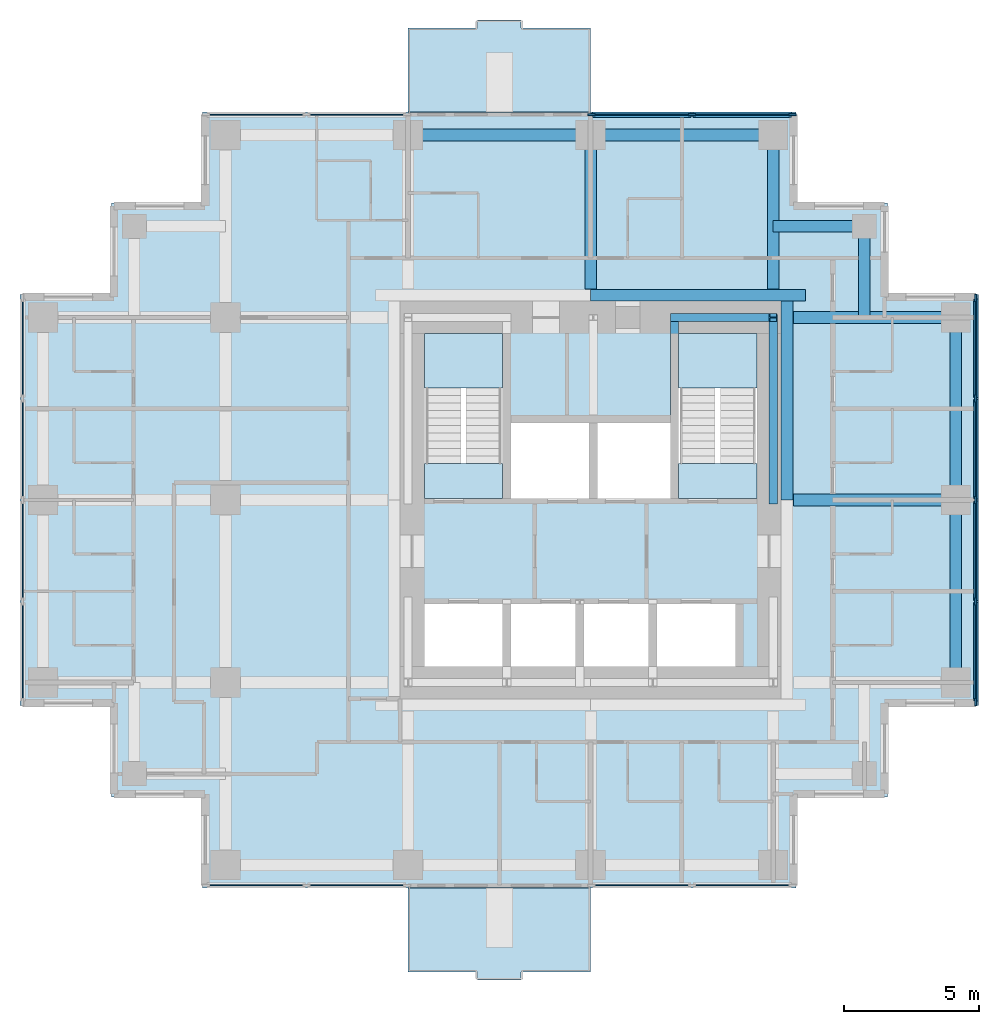
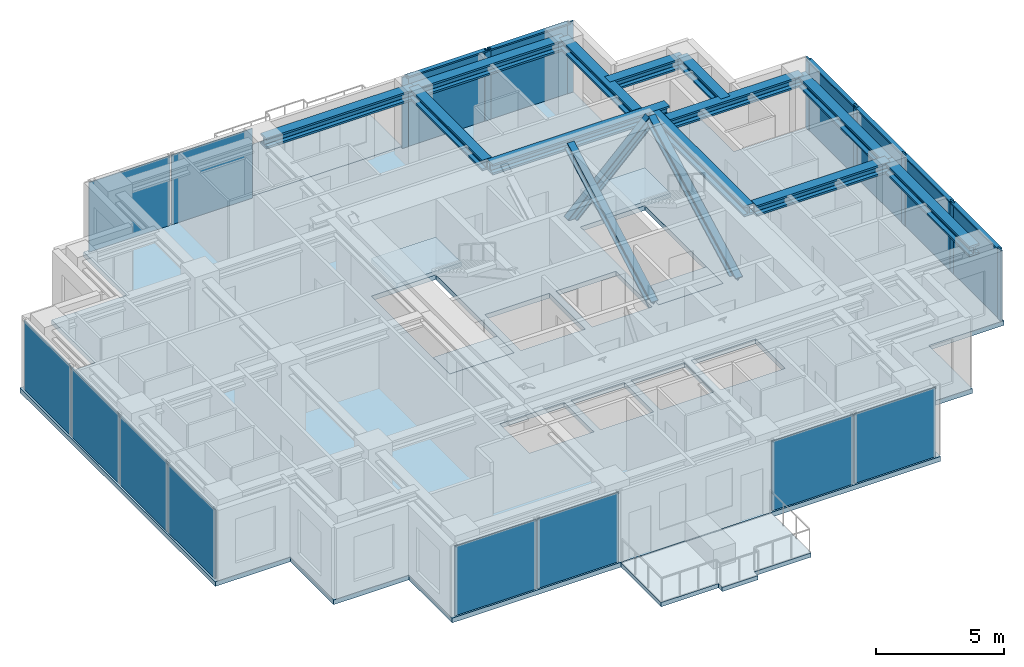
# One storey, part 2 of 8: 17 members, 16 plates, 12 beams, 7 slabs, 8 elements without a shape of their own.
"""IFC4 building model written with IfcOpenShell, lengths in metres."""

from ifc_helpers import new_model, si_unit, direction, frame, origin, origin_2d, place, context, subcontext, project, spatial, polyline, rectangle, i_section, outline, extrude, material, layer, layer_set, material_profile, profile_set, type_object, element, aggregate, save


model = new_model("IFC4")

# Units and contexts
model_context = context("Model", 3, precision=1e-05, world=origin(), true_north=direction((0.0, 1.0)))
body_context = subcontext(model_context, "Body", "Model", "MODEL_VIEW")
ifc_project = project(units=[si_unit("LENGTHUNIT", "METRE"), si_unit("AREAUNIT", "SQUARE_METRE"), si_unit("VOLUMEUNIT", "CUBIC_METRE"), si_unit("PLANEANGLEUNIT", "RADIAN"), si_unit("MASSUNIT", "GRAM", prefix="KILO")], contexts=[model_context])

# Site, building, storey
site_placement = place(None, origin())
site = spatial("IfcSite", under=ifc_project, at=site_placement, CompositionType="ELEMENT")
building_placement = place(site_placement, origin())
building = spatial("IfcBuilding", under=site, at=building_placement, Name="Nyansa Garden Tower", CompositionType="ELEMENT")
storey_placement = place(building_placement, frame((0.0, 0.0, 218.699951171875)))
storey = spatial("IfcBuildingStorey", under=building, at=storey_placement, Name="L59", CompositionType="ELEMENT", Elevation=218.699951171875)

# Curtain wall, members
ifc_material_1 = material(Name="Black anodised aluminium, dark tinted double glazing", Category="aluminium")
curtain_wall_type = type_object("IfcCurtainWallType", Name="Inner skin curtain wall ISW-D", PredefinedType="USERDEFINED", material=ifc_material_1)
curtain_wall_1_placement = place(storey_placement, origin())
curtain_wall_1 = element("IfcCurtainWall", 1, at=curtain_wall_1_placement, inside=storey, type_object=curtain_wall_type, Name="Inner skin curtain wall L59 E", ObjectType="UNITISED CURTAIN WALL", PredefinedType="USERDEFINED")
ifc_material_2 = material(Name="Black anodised aluminium", Category="aluminium")
ifc_material_profile_1 = material_profile(ifc_material_2, rectangle(XDim=0.070068359375, YDim=0.27490234375, at=origin_2d()), Name="Mullion 275x70")
ifc_profile_set_1 = profile_set([ifc_material_profile_1], Name="Black anodised aluminium")
member_type_1 = type_object("IfcMemberType", Name="Mullion ISW-D 275x70", PredefinedType="MULLION", material=ifc_profile_set_1)
member_1_placement = place(storey_placement, frame((34.5, 12.784912109375, 0.0), z_axis=(0.0, 0.0, 1.0), x_axis=(-1.0, 0.0, 0.0)))
member_1 = element("IfcMember", 2, at=member_1_placement, type_object=member_type_1, Name="ISW-D mullion 1", PredefinedType="MULLION", context=body_context, shape_type="SweptSolid", body=[
    extrude(rectangle(XDim=0.070068359375, YDim=0.27490234375, at=origin_2d()), origin(), (0.0, 0.0, 1.0), 3.375),
])
member_2_placement = place(storey_placement, frame((34.5, 16.5, 0.0), z_axis=(0.0, 0.0, 1.0), x_axis=(-1.0, 0.0, 0.0)))
member_2 = element("IfcMember", 3, at=member_2_placement, type_object=member_type_1, Name="ISW-D mullion 2", PredefinedType="MULLION", context=body_context, shape_type="SweptSolid", body=[
    extrude(rectangle(XDim=0.070068359375, YDim=0.27490234375, at=origin_2d()), origin(), (0.0, 0.0, 1.0), 3.375),
])
member_3_placement = place(storey_placement, frame((34.5, 20.25, 0.0), z_axis=(0.0, 0.0, 1.0), x_axis=(-1.0, 0.0, 0.0)))
member_3 = element("IfcMember", 4, at=member_3_placement, type_object=member_type_1, Name="ISW-D mullion 3", PredefinedType="MULLION", context=body_context, shape_type="SweptSolid", body=[
    extrude(rectangle(XDim=0.070068359375, YDim=0.27490234375, at=origin_2d()), origin(), (0.0, 0.0, 1.0), 3.375),
])
member_4_placement = place(storey_placement, frame((34.5, 24.0, 0.0), z_axis=(0.0, 0.0, 1.0), x_axis=(-1.0, 0.0, 0.0)))
member_4 = element("IfcMember", 5, at=member_4_placement, type_object=member_type_1, Name="ISW-D mullion 4", PredefinedType="MULLION", context=body_context, shape_type="SweptSolid", body=[
    extrude(rectangle(XDim=0.070068359375, YDim=0.27490234375, at=origin_2d()), origin(), (0.0, 0.0, 1.0), 3.375),
])
member_5_placement = place(storey_placement, frame((34.5, 27.715087890625, 0.0), z_axis=(0.0, 0.0, 1.0), x_axis=(-1.0, 0.0, 0.0)))
member_5 = element("IfcMember", 6, at=member_5_placement, type_object=member_type_1, Name="ISW-D mullion 5", PredefinedType="MULLION", context=body_context, shape_type="SweptSolid", body=[
    extrude(rectangle(XDim=0.070068359375, YDim=0.27490234375, at=origin_2d()), origin(), (0.0, 0.0, 1.0), 3.375),
])

curtain_wall_2_placement = place(storey_placement, origin())
curtain_wall_2 = element("IfcCurtainWall", 7, at=curtain_wall_2_placement, inside=storey, type_object=curtain_wall_type, Name="Inner skin curtain wall L59 N", ObjectType="UNITISED CURTAIN WALL", PredefinedType="USERDEFINED")
member_6_placement = place(storey_placement, frame((27.715087890625, 34.5, 0.0), z_axis=(0.0, 0.0, 1.0), x_axis=(0.0, -1.0, 0.0)))
member_6 = element("IfcMember", 8, at=member_6_placement, type_object=member_type_1, Name="ISW-D mullion 1", PredefinedType="MULLION", context=body_context, shape_type="SweptSolid", body=[
    extrude(rectangle(XDim=0.070068359375, YDim=0.27490234375, at=origin_2d()), origin(), (0.0, 0.0, 1.0), 3.375),
])
member_7_placement = place(storey_placement, frame((24.0, 34.5, 0.0), z_axis=(0.0, 0.0, 1.0), x_axis=(0.0, -1.0, 0.0)))
member_7 = element("IfcMember", 9, at=member_7_placement, type_object=member_type_1, Name="ISW-D mullion 2", PredefinedType="MULLION", context=body_context, shape_type="SweptSolid", body=[
    extrude(rectangle(XDim=0.070068359375, YDim=0.27490234375, at=origin_2d()), origin(), (0.0, 0.0, 1.0), 3.375),
])
member_8_placement = place(storey_placement, frame((20.284912109375, 34.5, 0.0), z_axis=(0.0, 0.0, 1.0), x_axis=(0.0, -1.0, 0.0)))
member_8 = element("IfcMember", 10, at=member_8_placement, type_object=member_type_1, Name="ISW-D mullion 3", PredefinedType="MULLION", context=body_context, shape_type="SweptSolid", body=[
    extrude(rectangle(XDim=0.070068359375, YDim=0.27490234375, at=origin_2d()), origin(), (0.0, 0.0, 1.0), 3.375),
])

# Members
ifc_material_3 = material(Name="Steel S355", Category="steel")
ifc_material_profile_2 = material_profile(ifc_material_3, i_section(OverallWidth=0.306884765625, OverallDepth=0.431884765625, WebThickness=0.02099609375, FlangeThickness=0.0400390625, FilletRadius=0.027099609375, at=origin_2d()), Name="HE 400 M")
ifc_profile_set_2 = profile_set([ifc_material_profile_2], Name="Steel S355")
member_type_2 = type_object("IfcMemberType", Name="Perimeter brace HE 400 M", PredefinedType="BRACE", material=ifc_profile_set_2)
member_9_placement = place(storey_placement, frame((23.35009765625, 27.0, 0.0), z_axis=(0.711947531702, 0.0, 0.702232662373), x_axis=(0.0, 1.0, 0.0)))
element("IfcMember", 11, at=member_9_placement, inside=storey, type_object=member_type_2, Name="Core brace CN4 L59", PredefinedType="BRACE", context=body_context, shape_type="SweptSolid", body=[
    extrude(i_section(OverallWidth=0.306884765625, OverallDepth=0.431884765625, WebThickness=0.02099609375, FlangeThickness=0.0400390625, FilletRadius=0.027099609375, at=origin_2d()), origin(), (0.0, 0.0, 1.0), 5.126708984375),
])
member_10_placement = place(storey_placement, frame((27.0, 20.199951171875, 0.0), z_axis=(0.0, 0.883784057226, 0.467895009796), x_axis=(-1.0, 0.0, 0.0)))
element("IfcMember", 12, at=member_10_placement, inside=storey, type_object=member_type_2, Name="Core brace CE8 L59", PredefinedType="BRACE", context=body_context, shape_type="SweptSolid", body=[
    extrude(i_section(OverallWidth=0.306884765625, OverallDepth=0.431884765625, WebThickness=0.02099609375, FlangeThickness=0.0400390625, FilletRadius=0.027099609375, at=origin_2d()), origin(), (0.0, 0.0, 1.0), 7.6943359375),
])
member_11_placement = place(storey_placement, frame((23.35009765625, 20.449951171875, 0.0), z_axis=(0.0, 0.876353113771, 0.481669201822), x_axis=(-1.0, 0.0, 0.0)))
element("IfcMember", 13, at=member_11_placement, inside=storey, type_object=member_type_2, Name="Core brace CES10 L59", PredefinedType="BRACE", context=body_context, shape_type="SweptSolid", body=[
    extrude(i_section(OverallWidth=0.306884765625, OverallDepth=0.431884765625, WebThickness=0.02099609375, FlangeThickness=0.0400390625, FilletRadius=0.027099609375, at=origin_2d()), origin(), (0.0, 0.0, 1.0), 7.47412109375),
])

# Beams
ifc_material_4 = material(Name="Steel S355", Category="steel")
ifc_material_profile_3 = material_profile(ifc_material_4, i_section(OverallWidth=0.431884765625, OverallDepth=0.498046875, WebThickness=0.0556640625, FlangeThickness=0.0888671875, FilletRadius=0.014892578125, at=origin_2d()), Name="HD 400x744")
ifc_profile_set_3 = profile_set([ifc_material_profile_3], Name="Steel S355")
beam_type_1 = type_object("IfcBeamType", Name="Steel beam SBD1-744 HD 400x744", PredefinedType="BEAM", material=ifc_profile_set_3)
beam_1_placement = place(storey_placement, frame((20.25, 28.050048828125, 3.1259765625), z_axis=(0.0, 1.0, 0.0), x_axis=(-1.0, 0.0, 0.0)))
element("IfcBeam", 14, at=beam_1_placement, inside=storey, type_object=beam_type_1, Name="Steel beam 5/28.050-5/J L60", PredefinedType="BEAM", context=body_context, shape_type="SweptSolid", body=[
    extrude(i_section(OverallWidth=0.431884765625, OverallDepth=0.498046875, WebThickness=0.0556640625, FlangeThickness=0.0888671875, FilletRadius=0.014892578125, at=origin_2d()), origin(), (0.0, 0.0, 1.0), 5.699951171875),
])
beam_2_placement = place(storey_placement, frame((27.75, 20.25, 3.1259765625), z_axis=(1.0, 0.0, 0.0), x_axis=(0.0, 1.0, 0.0)))
element("IfcBeam", 15, at=beam_2_placement, inside=storey, type_object=beam_type_1, Name="Steel beam 27.750/G-7/G L60", PredefinedType="BEAM", context=body_context, shape_type="SweptSolid", body=[
    extrude(i_section(OverallWidth=0.431884765625, OverallDepth=0.498046875, WebThickness=0.0556640625, FlangeThickness=0.0888671875, FilletRadius=0.014892578125, at=origin_2d()), origin(), (0.0, 0.0, 1.0), 6.0),
])
beam_3_placement = place(storey_placement, frame((27.0, 28.050048828125, 3.1259765625), z_axis=(0.0, 1.0, 0.0), x_axis=(-1.0, 0.0, 0.0)))
element("IfcBeam", 16, at=beam_3_placement, inside=storey, type_object=beam_type_1, Name="Steel beam 6/28.050-6/J L60", PredefinedType="BEAM", context=body_context, shape_type="SweptSolid", body=[
    extrude(i_section(OverallWidth=0.431884765625, OverallDepth=0.498046875, WebThickness=0.0556640625, FlangeThickness=0.0888671875, FilletRadius=0.014892578125, at=origin_2d()), origin(), (0.0, 0.0, 1.0), 5.699951171875),
])
beam_4_placement = place(storey_placement, frame((27.75, 27.0, 3.1259765625), z_axis=(1.0, 0.0, 0.0), x_axis=(0.0, 1.0, 0.0)))
element("IfcBeam", 17, at=beam_4_placement, inside=storey, type_object=beam_type_1, Name="Steel beam 27.750/H-7/H L60", PredefinedType="BEAM", context=body_context, shape_type="SweptSolid", body=[
    extrude(i_section(OverallWidth=0.431884765625, OverallDepth=0.498046875, WebThickness=0.0556640625, FlangeThickness=0.0888671875, FilletRadius=0.014892578125, at=origin_2d()), origin(), (0.0, 0.0, 1.0), 6.0),
])
ifc_material_5 = material(Name="Steel S355", Category="steel")
ifc_material_profile_4 = material_profile(ifc_material_5, i_section(OverallWidth=0.431884765625, OverallDepth=0.498046875, WebThickness=0.0556640625, FlangeThickness=0.0888671875, FilletRadius=0.014892578125, at=origin_2d()), Name="HD 400x744")
ifc_profile_set_4 = profile_set([ifc_material_profile_4], Name="Steel S355")
beam_type_2 = type_object("IfcBeamType", Name="Steel beam SEBD-744 HD 400x744", PredefinedType="BEAM", material=ifc_profile_set_4)
for number, where, z_axis, x_axis, name in (
    (18, (13.5, 33.75, 3.1259765625), (1.0, 0.0, 0.0), (0.0, 1.0, 0.0), "Steel edge beam 4/J-5/J L60"),
    (19, (20.25, 33.75, 3.1259765625), (1.0, 0.0, 0.0), (0.0, 1.0, 0.0), "Steel edge beam 5/J-6/J L60"),
    (20, (33.75, 13.5, 3.1259765625), (0.0, 1.0, 0.0), (-1.0, 0.0, 0.0), "Steel edge beam 7/F-7/G L60"),
    (21, (33.75, 20.25, 3.1259765625), (0.0, 1.0, 0.0), (-1.0, 0.0, 0.0), "Steel edge beam 7/G-7/H L60"),
):
    element("IfcBeam", number, at=place(storey_placement, frame(where, z_axis=z_axis, x_axis=x_axis)), inside=storey, type_object=beam_type_2, Name=name, PredefinedType="BEAM", context=body_context, shape_type="SweptSolid", body=[
        extrude(i_section(OverallWidth=0.431884765625, OverallDepth=0.498046875, WebThickness=0.0556640625, FlangeThickness=0.0888671875, FilletRadius=0.014892578125, at=origin_2d()), origin(), (0.0, 0.0, 1.0), 6.75),
    ])
ifc_material_6 = material(Name="Steel S355", Category="steel")
ifc_material_profile_5 = material_profile(ifc_material_6, i_section(OverallWidth=0.431884765625, OverallDepth=0.498046875, WebThickness=0.0556640625, FlangeThickness=0.0888671875, FilletRadius=0.014892578125, at=origin_2d()), Name="HD 400x744")
ifc_profile_set_5 = profile_set([ifc_material_profile_5], Name="Steel S355")
beam_type_3 = type_object("IfcBeamType", Name="Steel beam SLB1-744 HD 400x744", PredefinedType="BEAM", material=ifc_profile_set_5)
beam_5_placement = place(storey_placement, frame((27.51611328125, 20.25, 3.1259765625), z_axis=(0.0, 1.0, 0.0), x_axis=(-1.0, 0.0, 0.0)))
element("IfcBeam", 22, at=beam_5_placement, inside=storey, type_object=beam_type_3, Name="Steel core ledger beam E.2 L60", PredefinedType="BEAM", context=body_context, shape_type="SweptSolid", body=[
    extrude(i_section(OverallWidth=0.431884765625, OverallDepth=0.498046875, WebThickness=0.0556640625, FlangeThickness=0.0888671875, FilletRadius=0.014892578125, at=origin_2d()), origin(), (0.0, 0.0, 1.0), 7.35009765625),
])
beam_6_placement = place(storey_placement, frame((28.199951171875, 27.81591796875, 3.1259765625), z_axis=(-1.0, 0.0, 0.0), x_axis=(0.0, -1.0, 0.0)))
element("IfcBeam", 23, at=beam_6_placement, inside=storey, type_object=beam_type_3, Name="Steel core ledger beam N.1 L60", PredefinedType="BEAM", context=body_context, shape_type="SweptSolid", body=[
    extrude(i_section(OverallWidth=0.431884765625, OverallDepth=0.498046875, WebThickness=0.0556640625, FlangeThickness=0.0888671875, FilletRadius=0.014892578125, at=origin_2d()), origin(), (0.0, 0.0, 1.0), 7.949951171875),
])
ifc_material_7 = material(Name="Steel S355", Category="steel")
ifc_material_profile_6 = material_profile(ifc_material_7, i_section(OverallWidth=0.431884765625, OverallDepth=0.498046875, WebThickness=0.0556640625, FlangeThickness=0.0888671875, FilletRadius=0.014892578125, at=origin_2d()), Name="HD 400x744")
ifc_profile_set_6 = profile_set([ifc_material_profile_6], Name="Steel S355")
beam_type_4 = type_object("IfcBeamType", Name="Steel beam SSB1-744 HD 400x744", PredefinedType="BEAM", material=ifc_profile_set_6)
for number, where, z_axis, x_axis, name in (
    (24, (30.375, 30.375, 3.1259765625), (0.0, -1.0, 0.0), (1.0, 0.0, 0.0), "Steel step beam 30.375/30.375 L60"),
    (25, (30.375, 30.375, 3.1259765625), (-1.0, 0.0, 0.0), (0.0, -1.0, 0.0), "Steel step beam 30.375/30.375 L60"),
):
    element("IfcBeam", number, at=place(storey_placement, frame(where, z_axis=z_axis, x_axis=x_axis)), inside=storey, type_object=beam_type_4, Name=name, PredefinedType="BEAM", context=body_context, shape_type="SweptSolid", body=[
        extrude(i_section(OverallWidth=0.431884765625, OverallDepth=0.498046875, WebThickness=0.0556640625, FlangeThickness=0.0888671875, FilletRadius=0.014892578125, at=origin_2d()), origin(), (0.0, 0.0, 1.0), 3.375),
    ])

# Member
ifc_material_8 = material(Name="Black anodised aluminium", Category="aluminium")
ifc_material_profile_7 = material_profile(ifc_material_8, rectangle(XDim=0.195068359375, YDim=0.070068359375, at=origin_2d()), Name="Transom 195x70")
ifc_profile_set_7 = profile_set([ifc_material_profile_7], Name="Black anodised aluminium")
member_type_3 = type_object("IfcMemberType", Name="Transom ISW-D 195x70", PredefinedType="USERDEFINED", material=ifc_profile_set_7)
member_12_placement = place(storey_placement, frame((34.5, 12.820068359375, 3.340087890625), z_axis=(0.0, 1.0, 0.0), x_axis=(-1.0, 0.0, 0.0)))
member_12 = element("IfcMember", 26, at=member_12_placement, type_object=member_type_3, Name="ISW-D transom 1", ObjectType="TRANSOM", PredefinedType="USERDEFINED", context=body_context, shape_type="SweptSolid", body=[
    extrude(rectangle(XDim=0.195068359375, YDim=0.070068359375, at=origin_2d()), origin(), (0.0, 0.0, 1.0), 3.64501953125),
])

member_13_placement = place(storey_placement, frame((34.5, 16.534912109375, 3.340087890625), z_axis=(0.0, 1.0, 0.0), x_axis=(-1.0, 0.0, 0.0)))
member_13 = element("IfcMember", 27, at=member_13_placement, type_object=member_type_3, Name="ISW-D transom 2", ObjectType="TRANSOM", PredefinedType="USERDEFINED", context=body_context, shape_type="SweptSolid", body=[
    extrude(rectangle(XDim=0.195068359375, YDim=0.070068359375, at=origin_2d()), origin(), (0.0, 0.0, 1.0), 3.68017578125),
])

member_14_placement = place(storey_placement, frame((34.5, 20.284912109375, 3.340087890625), z_axis=(0.0, 1.0, 0.0), x_axis=(-1.0, 0.0, 0.0)))
member_14 = element("IfcMember", 28, at=member_14_placement, type_object=member_type_3, Name="ISW-D transom 3", ObjectType="TRANSOM", PredefinedType="USERDEFINED", context=body_context, shape_type="SweptSolid", body=[
    extrude(rectangle(XDim=0.195068359375, YDim=0.070068359375, at=origin_2d()), origin(), (0.0, 0.0, 1.0), 3.68017578125),
])

member_15_placement = place(storey_placement, frame((34.5, 24.034912109375, 3.340087890625), z_axis=(0.0, 1.0, 0.0), x_axis=(-1.0, 0.0, 0.0)))
member_15 = element("IfcMember", 29, at=member_15_placement, type_object=member_type_3, Name="ISW-D transom 4", ObjectType="TRANSOM", PredefinedType="USERDEFINED", context=body_context, shape_type="SweptSolid", body=[
    extrude(rectangle(XDim=0.195068359375, YDim=0.070068359375, at=origin_2d()), origin(), (0.0, 0.0, 1.0), 3.64501953125),
])

member_16_placement = place(storey_placement, frame((27.679931640625, 34.5, 3.340087890625), z_axis=(-1.0, 0.0, 0.0), x_axis=(0.0, -1.0, 0.0)))
member_16 = element("IfcMember", 30, at=member_16_placement, type_object=member_type_3, Name="ISW-D transom 1", ObjectType="TRANSOM", PredefinedType="USERDEFINED", context=body_context, shape_type="SweptSolid", body=[
    extrude(rectangle(XDim=0.195068359375, YDim=0.070068359375, at=origin_2d()), origin(), (0.0, 0.0, 1.0), 3.64501953125),
])

member_17_placement = place(storey_placement, frame((23.965087890625, 34.5, 3.340087890625), z_axis=(-1.0, 0.0, 0.0), x_axis=(0.0, -1.0, 0.0)))
member_17 = element("IfcMember", 31, at=member_17_placement, type_object=member_type_3, Name="ISW-D transom 2", ObjectType="TRANSOM", PredefinedType="USERDEFINED", context=body_context, shape_type="SweptSolid", body=[
    extrude(rectangle(XDim=0.195068359375, YDim=0.070068359375, at=origin_2d()), origin(), (0.0, 0.0, 1.0), 3.64501953125),
])

# Slabs
ifc_material_9 = material(Name="Concrete C40/50", Category="concrete")
ifc_layer_1 = layer(ifc_material_9, 0.199951171875)
ifc_layer_set_1 = layer_set([ifc_layer_1], Name="Balcony slab BS200")
slab_type_1 = type_object("IfcSlabType", Name="Balcony slab BS200", PredefinedType="FLOOR", material=ifc_layer_set_1)
slab_1_placement = place(storey_placement, frame((0.0, 0.0, -0.239990234375)))
element("IfcSlab", 32, at=slab_1_placement, inside=storey, type_object=slab_type_1, Name="Balcony L59 S", PredefinedType="FLOOR", context=body_context, shape_type="SweptSolid", body=[
    extrude(outline(polyline([(13.5, 5.89990234375), (20.25, 5.89990234375), (20.25, 2.800048828125), (17.675048828125, 2.800048828125), (17.675048828125, 2.5), (16.074951171875, 2.5), (16.074951171875, 2.800048828125), (13.5, 2.800048828125), (13.5, 5.89990234375)])), origin(), (0.0, 0.0, 1.0), 0.199951171875),
])
slab_2_placement = place(storey_placement, frame((0.0, 0.0, -0.239990234375)))
element("IfcSlab", 33, at=slab_2_placement, inside=storey, type_object=slab_type_1, Name="Balcony L59 N", PredefinedType="FLOOR", context=body_context, shape_type="SweptSolid", body=[
    extrude(outline(polyline([(13.5, 34.60009765625), (20.25, 34.60009765625), (20.25, 37.699951171875), (17.675048828125, 37.699951171875), (17.675048828125, 38.0), (16.074951171875, 38.0), (16.074951171875, 37.699951171875), (13.5, 37.699951171875), (13.5, 34.60009765625)])), origin(), (0.0, 0.0, 1.0), 0.199951171875),
])

# Plate
ifc_material_10 = material(Name="Dark tinted laminated double glazing", Category="glass")
ifc_layer_2 = layer(ifc_material_10, 0.0439453125)
ifc_layer_set_2 = layer_set([ifc_layer_2], Name="Dark tinted vision panel VP-D")
plate_type = type_object("IfcPlateType", Name="Dark tinted vision panel VP-D", PredefinedType="CURTAIN_PANEL", material=ifc_layer_set_2)
plate_1_placement = place(storey_placement, frame((34.5, 14.642578125, 0.0), z_axis=(0.0, 0.0, 1.0), x_axis=(0.0, 1.0, 0.0)))
plate_1 = element("IfcPlate", 34, at=plate_1_placement, type_object=plate_type, Name="ISW-D panel 1", PredefinedType="CURTAIN_PANEL", context=body_context, shape_type="SweptSolid", body=[
    extrude(rectangle(XDim=3.64501953125, YDim=0.0439453125, at=origin_2d()), origin(), (0.0, 0.0, 1.0), 3.304931640625),
])

plate_2_placement = place(storey_placement, frame((34.5, 18.375, 0.0), z_axis=(0.0, 0.0, 1.0), x_axis=(0.0, 1.0, 0.0)))
plate_2 = element("IfcPlate", 35, at=plate_2_placement, type_object=plate_type, Name="ISW-D panel 2", PredefinedType="CURTAIN_PANEL", context=body_context, shape_type="SweptSolid", body=[
    extrude(rectangle(XDim=3.679931640625, YDim=0.0439453125, at=origin_2d()), origin(), (0.0, 0.0, 1.0), 3.304931640625),
])

plate_3_placement = place(storey_placement, frame((34.5, 22.125, 0.0), z_axis=(0.0, 0.0, 1.0), x_axis=(0.0, 1.0, 0.0)))
plate_3 = element("IfcPlate", 36, at=plate_3_placement, type_object=plate_type, Name="ISW-D panel 3", PredefinedType="CURTAIN_PANEL", context=body_context, shape_type="SweptSolid", body=[
    extrude(rectangle(XDim=3.679931640625, YDim=0.0439453125, at=origin_2d()), origin(), (0.0, 0.0, 1.0), 3.304931640625),
])

plate_4_placement = place(storey_placement, frame((34.5, 25.857421875, 0.0), z_axis=(0.0, 0.0, 1.0), x_axis=(0.0, 1.0, 0.0)))
plate_4 = element("IfcPlate", 37, at=plate_4_placement, type_object=plate_type, Name="ISW-D panel 4", PredefinedType="CURTAIN_PANEL", context=body_context, shape_type="SweptSolid", body=[
    extrude(rectangle(XDim=3.64501953125, YDim=0.0439453125, at=origin_2d()), origin(), (0.0, 0.0, 1.0), 3.304931640625),
])

aggregate(curtain_wall_1, [member_1, member_2, member_3, member_4, member_5, member_12, plate_1, member_13, plate_2, member_14, plate_3, member_15, plate_4])

# Curtain wall, plates
curtain_wall_3_placement = place(storey_placement, origin())
curtain_wall_3 = element("IfcCurtainWall", 38, at=curtain_wall_3_placement, inside=storey, type_object=curtain_wall_type, Name="Inner skin curtain wall L59 N", ObjectType="UNITISED CURTAIN WALL", PredefinedType="USERDEFINED")
plate_5_placement = place(storey_placement, frame((11.607421875, 34.5, 0.0), z_axis=(0.0, 0.0, 1.0), x_axis=(-1.0, 0.0, 0.0)))
plate_5 = element("IfcPlate", 39, at=plate_5_placement, type_object=plate_type, Name="ISW-D panel 1", PredefinedType="CURTAIN_PANEL", context=body_context, shape_type="SweptSolid", body=[
    extrude(rectangle(XDim=3.64501953125, YDim=0.0439453125, at=origin_2d()), origin(), (0.0, 0.0, 1.0), 3.304931640625),
])
plate_6_placement = place(storey_placement, frame((7.892578125, 34.5, 0.0), z_axis=(0.0, 0.0, 1.0), x_axis=(-1.0, 0.0, 0.0)))
plate_6 = element("IfcPlate", 40, at=plate_6_placement, type_object=plate_type, Name="ISW-D panel 2", PredefinedType="CURTAIN_PANEL", context=body_context, shape_type="SweptSolid", body=[
    extrude(rectangle(XDim=3.64501953125, YDim=0.0439453125, at=origin_2d()), origin(), (0.0, 0.0, 1.0), 3.304931640625),
])
aggregate(curtain_wall_3, [plate_5, plate_6])

# Plate
plate_7_placement = place(storey_placement, frame((25.857421875, 34.5, 0.0), z_axis=(0.0, 0.0, 1.0), x_axis=(-1.0, 0.0, 0.0)))
plate_7 = element("IfcPlate", 41, at=plate_7_placement, type_object=plate_type, Name="ISW-D panel 1", PredefinedType="CURTAIN_PANEL", context=body_context, shape_type="SweptSolid", body=[
    extrude(rectangle(XDim=3.64501953125, YDim=0.0439453125, at=origin_2d()), origin(), (0.0, 0.0, 1.0), 3.304931640625),
])

plate_8_placement = place(storey_placement, frame((22.142578125, 34.5, 0.0), z_axis=(0.0, 0.0, 1.0), x_axis=(-1.0, 0.0, 0.0)))
plate_8 = element("IfcPlate", 42, at=plate_8_placement, type_object=plate_type, Name="ISW-D panel 2", PredefinedType="CURTAIN_PANEL", context=body_context, shape_type="SweptSolid", body=[
    extrude(rectangle(XDim=3.64501953125, YDim=0.0439453125, at=origin_2d()), origin(), (0.0, 0.0, 1.0), 3.304931640625),
])

aggregate(curtain_wall_2, [member_6, member_7, member_8, member_16, plate_7, member_17, plate_8])

# Curtain wall, plates
curtain_wall_4_placement = place(storey_placement, origin())
curtain_wall_4 = element("IfcCurtainWall", 43, at=curtain_wall_4_placement, inside=storey, type_object=curtain_wall_type, Name="Inner skin curtain wall L59 W", ObjectType="UNITISED CURTAIN WALL", PredefinedType="USERDEFINED")
plate_9_placement = place(storey_placement, frame((-0.75, 25.857421875, 0.0), z_axis=(0.0, 0.0, 1.0), x_axis=(0.0, -1.0, 0.0)))
plate_9 = element("IfcPlate", 44, at=plate_9_placement, type_object=plate_type, Name="ISW-D panel 1", PredefinedType="CURTAIN_PANEL", context=body_context, shape_type="SweptSolid", body=[
    extrude(rectangle(XDim=3.64501953125, YDim=0.0439453125, at=origin_2d()), origin(), (0.0, 0.0, 1.0), 3.304931640625),
])
plate_10_placement = place(storey_placement, frame((-0.75, 22.125, 0.0), z_axis=(0.0, 0.0, 1.0), x_axis=(0.0, -1.0, 0.0)))
plate_10 = element("IfcPlate", 45, at=plate_10_placement, type_object=plate_type, Name="ISW-D panel 2", PredefinedType="CURTAIN_PANEL", context=body_context, shape_type="SweptSolid", body=[
    extrude(rectangle(XDim=3.679931640625, YDim=0.0439453125, at=origin_2d()), origin(), (0.0, 0.0, 1.0), 3.304931640625),
])
plate_11_placement = place(storey_placement, frame((-0.75, 18.375, 0.0), z_axis=(0.0, 0.0, 1.0), x_axis=(0.0, -1.0, 0.0)))
plate_11 = element("IfcPlate", 46, at=plate_11_placement, type_object=plate_type, Name="ISW-D panel 3", PredefinedType="CURTAIN_PANEL", context=body_context, shape_type="SweptSolid", body=[
    extrude(rectangle(XDim=3.679931640625, YDim=0.0439453125, at=origin_2d()), origin(), (0.0, 0.0, 1.0), 3.304931640625),
])
plate_12_placement = place(storey_placement, frame((-0.75, 14.642578125, 0.0), z_axis=(0.0, 0.0, 1.0), x_axis=(0.0, -1.0, 0.0)))
plate_12 = element("IfcPlate", 47, at=plate_12_placement, type_object=plate_type, Name="ISW-D panel 4", PredefinedType="CURTAIN_PANEL", context=body_context, shape_type="SweptSolid", body=[
    extrude(rectangle(XDim=3.64501953125, YDim=0.0439453125, at=origin_2d()), origin(), (0.0, 0.0, 1.0), 3.304931640625),
])
aggregate(curtain_wall_4, [plate_9, plate_10, plate_11, plate_12])

curtain_wall_5_placement = place(storey_placement, origin())
curtain_wall_5 = element("IfcCurtainWall", 48, at=curtain_wall_5_placement, inside=storey, type_object=curtain_wall_type, Name="Inner skin curtain wall L59 S", ObjectType="UNITISED CURTAIN WALL", PredefinedType="USERDEFINED")
plate_13_placement = place(storey_placement, frame((7.892578125, 6.0, 0.0), z_axis=(0.0, 0.0, 1.0), x_axis=(1.0, 0.0, 0.0)))
plate_13 = element("IfcPlate", 49, at=plate_13_placement, type_object=plate_type, Name="ISW-D panel 1", PredefinedType="CURTAIN_PANEL", context=body_context, shape_type="SweptSolid", body=[
    extrude(rectangle(XDim=3.64501953125, YDim=0.0439453125, at=origin_2d()), origin(), (0.0, 0.0, 1.0), 3.304931640625),
])
plate_14_placement = place(storey_placement, frame((11.607421875, 6.0, 0.0), z_axis=(0.0, 0.0, 1.0), x_axis=(1.0, 0.0, 0.0)))
plate_14 = element("IfcPlate", 50, at=plate_14_placement, type_object=plate_type, Name="ISW-D panel 2", PredefinedType="CURTAIN_PANEL", context=body_context, shape_type="SweptSolid", body=[
    extrude(rectangle(XDim=3.64501953125, YDim=0.0439453125, at=origin_2d()), origin(), (0.0, 0.0, 1.0), 3.304931640625),
])
aggregate(curtain_wall_5, [plate_13, plate_14])

curtain_wall_6_placement = place(storey_placement, origin())
curtain_wall_6 = element("IfcCurtainWall", 51, at=curtain_wall_6_placement, inside=storey, type_object=curtain_wall_type, Name="Inner skin curtain wall L59 S", ObjectType="UNITISED CURTAIN WALL", PredefinedType="USERDEFINED")
plate_15_placement = place(storey_placement, frame((22.142578125, 6.0, 0.0), z_axis=(0.0, 0.0, 1.0), x_axis=(1.0, 0.0, 0.0)))
plate_15 = element("IfcPlate", 52, at=plate_15_placement, type_object=plate_type, Name="ISW-D panel 1", PredefinedType="CURTAIN_PANEL", context=body_context, shape_type="SweptSolid", body=[
    extrude(rectangle(XDim=3.64501953125, YDim=0.0439453125, at=origin_2d()), origin(), (0.0, 0.0, 1.0), 3.304931640625),
])
plate_16_placement = place(storey_placement, frame((25.857421875, 6.0, 0.0), z_axis=(0.0, 0.0, 1.0), x_axis=(1.0, 0.0, 0.0)))
plate_16 = element("IfcPlate", 53, at=plate_16_placement, type_object=plate_type, Name="ISW-D panel 2", PredefinedType="CURTAIN_PANEL", context=body_context, shape_type="SweptSolid", body=[
    extrude(rectangle(XDim=3.64501953125, YDim=0.0439453125, at=origin_2d()), origin(), (0.0, 0.0, 1.0), 3.304931640625),
])
aggregate(curtain_wall_6, [plate_15, plate_16])

# Slab
ifc_material_11 = material(Name="Concrete C40/50", Category="concrete")
ifc_layer_3 = layer(ifc_material_11, 0.22509765625)
ifc_layer_set_3 = layer_set([ifc_layer_3], Name="Floor slab FS225")
slab_type_2 = type_object("IfcSlabType", Name="Floor slab FS225", PredefinedType="FLOOR", material=ifc_layer_set_3)
slab_3_placement = place(storey_placement, frame((0.0, 0.0, -0.224853515625)))
element("IfcSlab", 54, at=slab_3_placement, inside=storey, type_object=slab_type_2, Name="Floor slab L59", PredefinedType="FLOOR", context=body_context, shape_type="SweptSolid", body=[
    extrude(outline(polyline([(34.60009765625, 12.64990234375), (31.22509765625, 12.64990234375), (31.22509765625, 9.27490234375), (27.85009765625, 9.27490234375), (27.85009765625, 5.89990234375), (5.89990234375, 5.89990234375), (5.89990234375, 9.27490234375), (2.52490234375, 9.27490234375), (2.52490234375, 12.64990234375), (-0.85009765625, 12.64990234375), (-0.85009765625, 27.85009765625), (2.52490234375, 27.85009765625), (2.52490234375, 31.22509765625), (5.89990234375, 31.22509765625), (5.89990234375, 34.60009765625), (27.85009765625, 34.60009765625), (27.85009765625, 31.22509765625), (31.22509765625, 31.22509765625), (31.22509765625, 27.85009765625), (34.60009765625, 27.85009765625), (34.60009765625, 12.64990234375)]), holes=[polyline([(14.10009765625, 14.10009765625), (17.0, 14.10009765625), (17.0, 16.39990234375), (14.10009765625, 16.39990234375), (14.10009765625, 14.10009765625)]), polyline([(17.300048828125, 14.10009765625), (19.699951171875, 14.10009765625), (19.699951171875, 16.39990234375), (17.300048828125, 16.39990234375), (17.300048828125, 14.10009765625)]), polyline([(20.0, 14.10009765625), (22.39990234375, 14.10009765625), (22.39990234375, 16.39990234375), (20.0, 16.39990234375), (20.0, 14.10009765625)]), polyline([(22.699951171875, 14.10009765625), (25.60009765625, 14.10009765625), (25.60009765625, 16.39990234375), (22.699951171875, 16.39990234375), (22.699951171875, 14.10009765625)]), polyline([(17.300048828125, 20.300048828125), (20.199951171875, 20.300048828125), (20.199951171875, 23.10009765625), (17.300048828125, 23.10009765625), (17.300048828125, 20.300048828125)]), polyline([(20.5, 20.300048828125), (23.199951171875, 20.300048828125), (23.199951171875, 23.10009765625), (20.5, 23.10009765625), (20.5, 20.300048828125)]), polyline([(14.10009765625, 20.300048828125), (17.0, 20.300048828125), (17.0, 26.39990234375), (14.10009765625, 26.39990234375), (14.10009765625, 20.300048828125)]), polyline([(23.5, 20.300048828125), (26.39990234375, 20.300048828125), (26.39990234375, 26.39990234375), (23.5, 26.39990234375), (23.5, 20.300048828125)])]), origin(), (0.0, 0.0, 1.0), 0.224853515625),
])

# Stair, slabs
ifc_material_12 = material(Name="Precast concrete C40/50", Category="concrete")
stair_type_1 = type_object("IfcStairType", Name="Stair S1 164x280", PredefinedType="HALF_TURN_STAIR", material=ifc_material_12)
stair_1_placement = place(storey_placement, origin())
stair_1 = element("IfcStair", 55, at=stair_1_placement, inside=storey, type_object=stair_type_1, Name="Stair S1 L59", PredefinedType="HALF_TURN_STAIR")
ifc_material_13 = material(Name="Concrete C40/50", Category="concrete")
ifc_layer_4 = layer(ifc_material_13, 0.199951171875)
ifc_layer_set_4 = layer_set([ifc_layer_4], Name="Stair landing SL200")
slab_type_3 = type_object("IfcSlabType", Name="Stair landing SL200", PredefinedType="LANDING", material=ifc_layer_set_4)
slab_4_placement = place(storey_placement, frame((0.0, 0.0, -0.199951171875)))
slab_4 = element("IfcSlab", 56, at=slab_4_placement, type_object=slab_type_3, Name="S1 landing 1", PredefinedType="LANDING", context=body_context, shape_type="SweptSolid", body=[
    extrude(outline(polyline([(14.10009765625, 20.300048828125), (17.0, 20.300048828125), (17.0, 21.60009765625), (14.10009765625, 21.60009765625), (14.10009765625, 20.300048828125)])), origin(), (0.0, 0.0, 1.0), 0.199951171875),
])
slab_5_placement = place(storey_placement, frame((0.0, 0.0, 1.60009765625)))
slab_5 = element("IfcSlab", 57, at=slab_5_placement, type_object=slab_type_3, Name="S1 landing 2", PredefinedType="LANDING", context=body_context, shape_type="SweptSolid", body=[
    extrude(outline(polyline([(14.10009765625, 24.39990234375), (17.0, 24.39990234375), (17.0, 26.39990234375), (14.10009765625, 26.39990234375), (14.10009765625, 24.39990234375)])), origin(), (0.0, 0.0, 1.0), 0.199951171875),
])
aggregate(stair_1, [slab_4, slab_5])

ifc_material_14 = material(Name="Precast concrete C40/50", Category="concrete")
stair_type_2 = type_object("IfcStairType", Name="Stair S2 164x280", PredefinedType="HALF_TURN_STAIR", material=ifc_material_14)
stair_2_placement = place(storey_placement, origin())
stair_2 = element("IfcStair", 58, at=stair_2_placement, inside=storey, type_object=stair_type_2, Name="Stair S2 L59", PredefinedType="HALF_TURN_STAIR")
slab_6_placement = place(storey_placement, frame((0.0, 0.0, -0.199951171875)))
slab_6 = element("IfcSlab", 59, at=slab_6_placement, type_object=slab_type_3, Name="S2 landing 1", PredefinedType="LANDING", context=body_context, shape_type="SweptSolid", body=[
    extrude(outline(polyline([(23.5, 20.300048828125), (26.39990234375, 20.300048828125), (26.39990234375, 21.60009765625), (23.5, 21.60009765625), (23.5, 20.300048828125)])), origin(), (0.0, 0.0, 1.0), 0.199951171875),
])
slab_7_placement = place(storey_placement, frame((0.0, 0.0, 1.60009765625)))
slab_7 = element("IfcSlab", 60, at=slab_7_placement, type_object=slab_type_3, Name="S2 landing 2", PredefinedType="LANDING", context=body_context, shape_type="SweptSolid", body=[
    extrude(outline(polyline([(23.5, 24.39990234375), (26.39990234375, 24.39990234375), (26.39990234375, 26.39990234375), (23.5, 26.39990234375), (23.5, 24.39990234375)])), origin(), (0.0, 0.0, 1.0), 0.199951171875),
])
aggregate(stair_2, [slab_6, slab_7])

save(model, "model.ifc")
